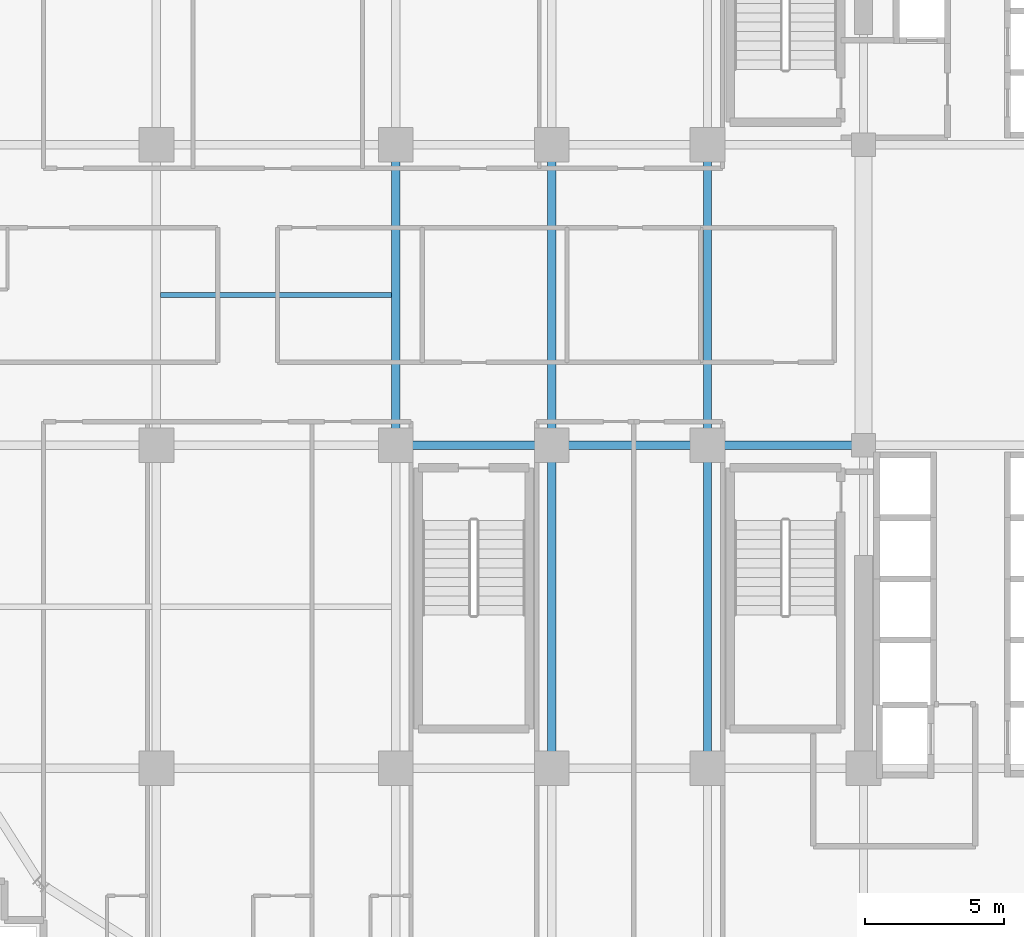
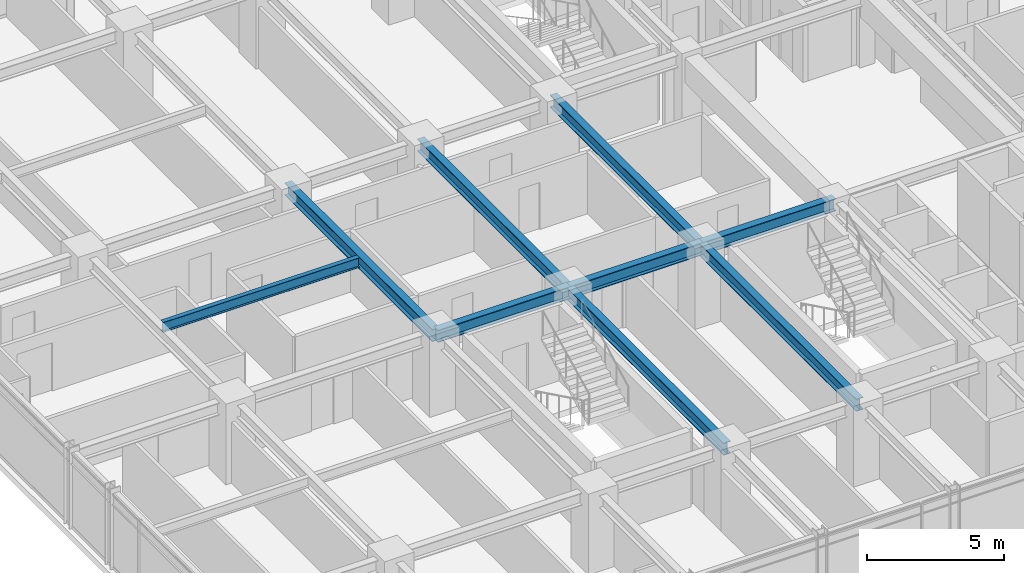
# One storey, part 10 of 33: 9 beams.
"""IFC4 building model written with IfcOpenShell, lengths in metres."""

from ifc_helpers import new_model, si_unit, direction, frame, origin, origin_2d, place, context, subcontext, project, spatial, i_section, extrude, source, transform, mapped, material, material_profile, profile_set, type_object, element, save


model = new_model("IFC4")

# Units and contexts
model_context = context("Model", 3, precision=1e-05, world=origin(), true_north=direction((0.0, 1.0)))
body_context = subcontext(model_context, "Body", "Model", "MODEL_VIEW")
ifc_project = project(units=[si_unit("LENGTHUNIT", "METRE"), si_unit("AREAUNIT", "SQUARE_METRE"), si_unit("VOLUMEUNIT", "CUBIC_METRE"), si_unit("PLANEANGLEUNIT", "RADIAN"), si_unit("MASSUNIT", "GRAM", prefix="KILO")], contexts=[model_context])

# Site, building, storey
site_placement = place(None, origin())
site = spatial("IfcSite", under=ifc_project, at=site_placement, CompositionType="ELEMENT")
building_placement = place(site_placement, origin())
building = spatial("IfcBuilding", under=site, at=building_placement, Name="Nahalor Promenade Grand Hotel", CompositionType="ELEMENT")
storey_placement = place(building_placement, frame((0.0, 0.0, 132.10009765625)))
storey = spatial("IfcBuildingStorey", under=building, at=storey_placement, Name="L33", CompositionType="ELEMENT", Elevation=132.10009765625)

# Beams
ifc_material = material(Name="Steel S355JR", Category="steel")
ifc_material_profile_1 = material_profile(ifc_material, i_section(OverallWidth=0.3, OverallDepth=0.55, WebThickness=0.015, FlangeThickness=0.029, at=origin_2d()), Name="HEB 550")
ifc_profile_set_1 = profile_set([ifc_material_profile_1], Name="Steel S355JR")
beam_type_1 = type_object("IfcBeamType", Name="Beam-Girder-HEB550", PredefinedType="BEAM", material=ifc_profile_set_1)
shared_shape_1 = source(origin(), body_context, "Body", "SweptSolid", [
    extrude(i_section(OverallWidth=0.3, OverallDepth=0.55, WebThickness=0.015, FlangeThickness=0.029, at=origin_2d()), origin(), (0.0, 0.0, 1.0), 5.599853515625),
])
for number, where, z_axis, x_axis, name in (
    (1, (-8.39990234375, -5.39990234375, 3.10498046875), (1.0, 0.0, 0.0), (0.0, 1.0, 0.0), "BM-L33-GX-1-2"),
    (2, (2.800048828125, -5.39990234375, 3.10498046875), (1.0, 0.0, 0.0), (0.0, 1.0, 0.0), "BM-L33-GX-1-4"),
):
    element("IfcBeam", number, at=place(storey_placement, frame(where, z_axis=z_axis, x_axis=x_axis)), inside=storey, type_object=beam_type_1, Name=name, PredefinedType="BEAM", context=body_context, shape_type="MappedRepresentation", body=[
        mapped(shared_shape_1, transform((0.0, 0.0, 0.0), scale=1.0)),
    ])
shared_shape_2 = source(origin(), body_context, "Body", "SweptSolid", [
    extrude(i_section(OverallWidth=0.3, OverallDepth=0.55, WebThickness=0.015, FlangeThickness=0.029, at=origin_2d()), origin(), (0.0, 0.0, 1.0), 5.60009765625),
])
beam_1_placement = place(storey_placement, frame((-2.800048828125, -5.39990234375, 3.10498046875), z_axis=(1.0, 0.0, 0.0), x_axis=(0.0, 1.0, 0.0)))
element("IfcBeam", 3, at=beam_1_placement, inside=storey, type_object=beam_type_1, Name="BM-L33-GX-1-3", PredefinedType="BEAM", context=body_context, shape_type="MappedRepresentation", body=[
    mapped(shared_shape_2, transform((0.0, 0.0, 0.0), scale=1.0)),
])
shared_shape_3 = source(origin(), body_context, "Body", "SweptSolid", [
    extrude(i_section(OverallWidth=0.3, OverallDepth=0.55, WebThickness=0.015, FlangeThickness=0.029, at=origin_2d()), origin(), (0.0, 0.0, 1.0), 11.60009765625),
])
for number, where, z_axis, x_axis, name in (
    (4, (-2.800048828125, -17.0, 3.10498046875), (0.0, 1.0, 0.0), (-1.0, 0.0, 0.0), "BM-L33-GY-2-1"),
    (5, (2.800048828125, -17.0, 3.10498046875), (0.0, 1.0, 0.0), (-1.0, 0.0, 0.0), "BM-L33-GY-3-1"),
):
    element("IfcBeam", number, at=place(storey_placement, frame(where, z_axis=z_axis, x_axis=x_axis)), inside=storey, type_object=beam_type_1, Name=name, PredefinedType="BEAM", context=body_context, shape_type="MappedRepresentation", body=[
        mapped(shared_shape_3, transform((0.0, 0.0, 0.0), scale=1.0)),
    ])
shared_shape_4 = source(origin(), body_context, "Body", "SweptSolid", [
    extrude(i_section(OverallWidth=0.3, OverallDepth=0.55, WebThickness=0.015, FlangeThickness=0.029, at=origin_2d()), origin(), (0.0, 0.0, 1.0), 10.7998046875),
])
for number, where, z_axis, x_axis, name in (
    (6, (-8.39990234375, -5.39990234375, 3.10498046875), (0.0, 1.0, 0.0), (-1.0, 0.0, 0.0), "BM-L33-GY-1-2"),
    (7, (-2.800048828125, -5.39990234375, 3.10498046875), (0.0, 1.0, 0.0), (-1.0, 0.0, 0.0), "BM-L33-GY-2-2"),
    (8, (2.800048828125, -5.39990234375, 3.10498046875), (0.0, 1.0, 0.0), (-1.0, 0.0, 0.0), "BM-L33-GY-3-2"),
):
    element("IfcBeam", number, at=place(storey_placement, frame(where, z_axis=z_axis, x_axis=x_axis)), inside=storey, type_object=beam_type_1, Name=name, PredefinedType="BEAM", context=body_context, shape_type="MappedRepresentation", body=[
        mapped(shared_shape_4, transform((0.0, 0.0, 0.0), scale=1.0)),
    ])
ifc_material_profile_2 = material_profile(ifc_material, i_section(OverallWidth=0.19, OverallDepth=0.45, WebThickness=0.0094, FlangeThickness=0.0146, at=origin_2d()), Name="IPE 450")
ifc_profile_set_2 = profile_set([ifc_material_profile_2], Name="Steel S355JR")
beam_type_2 = type_object("IfcBeamType", Name="Beam-Joist-IPE450", PredefinedType="JOIST", material=ifc_profile_set_2)
shared_shape_5 = source(origin(), body_context, "Body", "SweptSolid", [
    extrude(i_section(OverallWidth=0.19, OverallDepth=0.45, WebThickness=0.0094, FlangeThickness=0.0146, at=origin_2d()), origin(), (0.0, 0.0, 1.0), 8.300048828125),
])
beam_2_placement = place(storey_placement, frame((-16.85009765625, 0.0, 3.15478515625), z_axis=(1.0, 0.0, 0.0), x_axis=(0.0, 1.0, 0.0)))
element("IfcBeam", 9, at=beam_2_placement, inside=storey, type_object=beam_type_2, Name="BM-L33-JSC-0", PredefinedType="JOIST", context=body_context, shape_type="MappedRepresentation", body=[
    mapped(shared_shape_5, transform((0.0, 0.0, 0.0), scale=1.0)),
])

save(model, "model.ifc")
